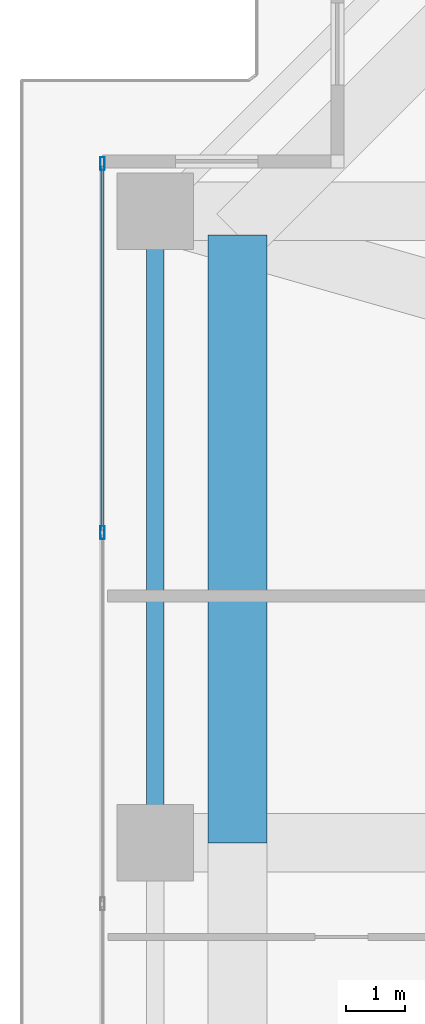
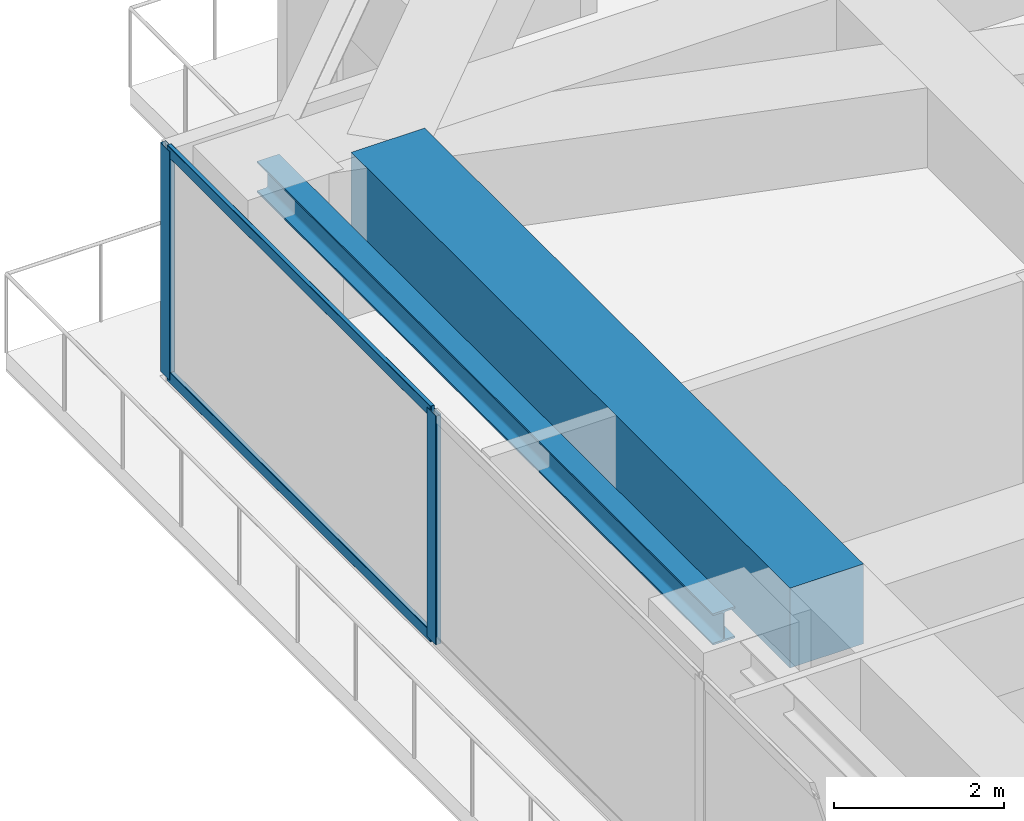
# One storey, part 14 of 32: 4 members, 2 beams, 1 element without a shape of its own.
"""IFC4 building model written with IfcOpenShell, lengths in metres."""

import ifcopenshell
import ifcopenshell.guid

model = None  # the IFC model being written
_history = None  # IfcOwnerHistory: only IFC2X3 demands one
_inside = {}  # id of a spatial element -> (the spatial element, [elements in it])
_under = {}  # id of a project, library or spatial element -> (it, [spatial elements below it])
_declared = {}  # id of a project -> (the project, [libraries it declares])
_typed = {}  # id of a type object -> (the type object, [elements of that type])
_made_of = {}  # id of a material, layer set ... -> (it, [elements and type objects made of it])


def new_model(schema):
    """Start an empty IFC model of exactly this schema.

    Asked for "IFC4X3", IfcOpenShell would pick the latest addendum, in which some entities
    have other attributes; the version numbers below select the first issue.
    IFC2X3 requires an IfcOwnerHistory on every rooted entity: one is made here for all.
    """
    global model, _history
    if schema == "IFC4X3":
        model = ifcopenshell.file(schema_version=(4, 3, 0, 0))
    else:
        model = ifcopenshell.file(schema=schema)
    _inside.clear()
    _under.clear()
    _declared.clear()
    _typed.clear()
    _made_of.clear()
    _history = None
    if model.schema == "IFC2X3":
        org = make("IfcOrganization", Name="unknown")
        user = make(
            "IfcPersonAndOrganization",
            ThePerson=make("IfcPerson", FamilyName="unknown"),
            TheOrganization=org,
        )
        app = make(
            "IfcApplication",
            ApplicationDeveloper=org,
            Version="unknown",
            ApplicationFullName="unknown",
            ApplicationIdentifier="unknown",
        )
        _history = make(
            "IfcOwnerHistory",
            OwningUser=user,
            OwningApplication=app,
            ChangeAction="ADDED",
            CreationDate=0,
        )
    return model


def make(cls, **values):
    """One entity of the class cls with the attributes given. An attribute that is None is left unset."""
    return model.create_entity(
        cls, **{name: value for name, value in values.items() if value is not None}
    )


def rooted(cls, **values):
    """An entity with a GlobalId (a new one), such as an element, a storey or a relation."""
    return make(cls, GlobalId=ifcopenshell.guid.new(), OwnerHistory=_history, **values)


def si_unit(unit_type, name, prefix=None):
    """IfcSIUnit, for example si_unit("LENGTHUNIT", "METRE", prefix="MILLI")."""
    return make("IfcSIUnit", UnitType=unit_type, Prefix=prefix, Name=name)


def assignment(units):
    """IfcUnitAssignment: the units of a project."""
    return None if units is None else make("IfcUnitAssignment", Units=units)


def point(xyz):
    """IfcCartesianPoint."""
    return None if xyz is None else make("IfcCartesianPoint", Coordinates=xyz)


def direction(xyz):
    """IfcDirection."""
    return None if xyz is None else make("IfcDirection", DirectionRatios=xyz)


def frame(location, z_axis=None, x_axis=None):
    """IfcAxis2Placement3D, a coordinate frame: its origin and axes. An axis left out is left unset."""
    return make(
        "IfcAxis2Placement3D",
        Location=point(location),
        Axis=direction(z_axis),
        RefDirection=direction(x_axis),
    )


def frame_2d(location, x_axis=None):
    """IfcAxis2Placement2D, a coordinate frame in the plane: its origin and x axis."""
    return make(
        "IfcAxis2Placement2D", Location=point(location), RefDirection=direction(x_axis)
    )


def origin():
    """The frame at (0, 0, 0) with its axes left unset."""
    return frame((0.0, 0.0, 0.0))


def origin_2d():
    """The frame at (0, 0) in the plane with its x axis left unset."""
    return frame_2d((0.0, 0.0))


def place(relative_to, where):
    """IfcLocalPlacement: puts the frame where relative to a parent placement (None: the world)."""
    return make(
        "IfcLocalPlacement", PlacementRelTo=relative_to, RelativePlacement=where
    )


def context(
    kind, dimensions, precision=None, world=None, true_north=None, identifier=None
):
    """IfcGeometricRepresentationContext, for example the 3D "Model" context."""
    return make(
        "IfcGeometricRepresentationContext",
        ContextIdentifier=identifier,
        ContextType=kind,
        CoordinateSpaceDimension=dimensions,
        Precision=precision,
        WorldCoordinateSystem=world,
        TrueNorth=true_north,
    )


def subcontext(parent, identifier, kind, view, scale=None):
    """IfcGeometricRepresentationSubContext, for example "Body" below "Model"."""
    return make(
        "IfcGeometricRepresentationSubContext",
        ContextIdentifier=identifier,
        ContextType=kind,
        ParentContext=parent,
        TargetScale=scale,
        TargetView=view,
    )


def project(units=None, contexts=None):
    """IfcProject with its units and contexts."""
    return rooted(
        "IfcProject",
        Name="project",
        RepresentationContexts=contexts,
        UnitsInContext=assignment(units),
    )


def spatial(cls, under=None, at=None, **own):
    """A site, building, storey or space (cls), placed at a placement, below another one or the project."""
    s = rooted(cls, ObjectPlacement=at, **own)
    if under is not None:
        _under.setdefault(under.id(), (under, []))[1].append(s)
    return s


def profile(cls, at=None, kind="AREA", **sizes):
    """A parametric profile (cls). Its sizes go by their IFC names, for example OverallWidth=200.0."""
    return make(cls, ProfileType=kind, Position=at, **sizes)


def rectangle(**sizes):
    """IfcRectangleProfileDef."""
    return profile("IfcRectangleProfileDef", **sizes)


def hollow_rectangle(**sizes):
    """IfcRectangleHollowProfileDef."""
    return profile("IfcRectangleHollowProfileDef", **sizes)


def i_section(**sizes):
    """IfcIShapeProfileDef."""
    return profile("IfcIShapeProfileDef", **sizes)


def extrude(swept, where, along, depth):
    """IfcExtrudedAreaSolid: the profile swept, set in the frame where, extruded along a direction by depth."""
    return make(
        "IfcExtrudedAreaSolid",
        SweptArea=swept,
        Position=where,
        ExtrudedDirection=direction(along),
        Depth=depth,
    )


def shape(context_of_items, identifier, shape_type, items):
    """IfcShapeRepresentation: the items that make up one representation, for example the "Body"."""
    return make(
        "IfcShapeRepresentation",
        ContextOfItems=context_of_items,
        RepresentationIdentifier=identifier,
        RepresentationType=shape_type,
        Items=items,
    )


def source(mapping_origin, context_of_items, identifier, shape_type, items):
    """IfcRepresentationMap: a shape defined once, which mapped items show again and again."""
    return make(
        "IfcRepresentationMap",
        MappingOrigin=mapping_origin,
        MappedRepresentation=shape(context_of_items, identifier, shape_type, items),
    )


def transform(
    local_origin,
    x_axis=None,
    y_axis=None,
    z_axis=None,
    scale=None,
    scale2=None,
    scale3=None,
    uniform=True,
):
    """IfcCartesianTransformationOperator3D, or its non-uniform kind. x_axis, y_axis, z_axis: its Axis1, 2, 3."""
    if uniform:
        return make(
            "IfcCartesianTransformationOperator3D",
            Axis1=direction(x_axis),
            Axis2=direction(y_axis),
            LocalOrigin=point(local_origin),
            Scale=scale,
            Axis3=direction(z_axis),
        )
    return make(
        "IfcCartesianTransformationOperator3DnonUniform",
        Axis1=direction(x_axis),
        Axis2=direction(y_axis),
        LocalOrigin=point(local_origin),
        Scale=scale,
        Axis3=direction(z_axis),
        Scale2=scale2,
        Scale3=scale3,
    )


def mapped(mapping_source, mapping_target):
    """IfcMappedItem: shows the shape of a source again, moved by a transform."""
    return make(
        "IfcMappedItem", MappingSource=mapping_source, MappingTarget=mapping_target
    )


def material(Name=None, Category=None):
    """IfcMaterial."""
    return make("IfcMaterial", Name=Name, Category=Category)


def layer(
    of_material, thickness, ventilated=None, Name=None, Category=None, Priority=None
):
    """IfcMaterialLayer: one layer of a wall or slab, of a material (None: an air gap)."""
    return make(
        "IfcMaterialLayer",
        Material=of_material,
        LayerThickness=thickness,
        IsVentilated=ventilated,
        Name=Name,
        Category=Category,
        Priority=Priority,
    )


def layer_set(layers, Name=None):
    """IfcMaterialLayerSet."""
    return make("IfcMaterialLayerSet", MaterialLayers=layers, LayerSetName=Name)


def material_profile(
    of_material, cross_section, Name=None, Category=None, Priority=None
):
    """IfcMaterialProfile: a cross section and its material."""
    return make(
        "IfcMaterialProfile",
        Name=Name,
        Material=of_material,
        Profile=cross_section,
        Priority=Priority,
        Category=Category,
    )


def profile_set(profiles, Name=None, composite=None):
    """IfcMaterialProfileSet."""
    return make(
        "IfcMaterialProfileSet",
        Name=Name,
        MaterialProfiles=profiles,
        CompositeProfile=composite,
    )


def made_of(thing, what):
    """Note that an element or type object is made of a material, layer set ...; save() writes the relation."""
    if what is not None:
        _made_of.setdefault(what.id(), (what, []))[1].append(thing)
    return thing


def type_object(cls, material=None, **own):
    """A type object (cls), such as IfcWallType, which elements share."""
    return made_of(rooted(cls, **own), material)


def element(
    cls,
    number,
    at=None,
    inside=None,
    cuts=None,
    type_object=None,
    material=None,
    context=None,
    identifier="Body",
    shape_type=None,
    held_by="IfcProductDefinitionShape",
    body=None,
    shapes=None,
    **own,
):
    """One element of the class cls, such as IfcWall. Its Tag is "e" and its number.

    at: its placement. inside: the storey or other place that contains it. cuts: it is an
    opening in that element (IfcRelVoidsElement). A single representation is given by context,
    identifier, shape_type and body (its items); several are given by shapes. held_by: the class
    of the entity that holds the representations. save() writes the other relations.
    """
    e = rooted(cls, Tag="e%d" % number, ObjectPlacement=at, **own)
    if body is not None:
        shapes = [shape(context, identifier, shape_type, body)]
    if shapes is not None:
        e.Representation = make(held_by, Representations=shapes)
    if inside is not None:
        _inside.setdefault(inside.id(), (inside, []))[1].append(e)
    if cuts is not None:
        rooted(
            "IfcRelVoidsElement", RelatingBuildingElement=cuts, RelatedOpeningElement=e
        )
    if type_object is not None:
        _typed.setdefault(type_object.id(), (type_object, []))[1].append(e)
    return made_of(e, material)


def aggregate(whole, parts):
    """IfcRelAggregates: a whole, such as a stair, and the parts it consists of."""
    return rooted("IfcRelAggregates", RelatingObject=whole, RelatedObjects=parts)


def save(model, path):
    """Write the relations noted so far, then the file.

    IfcRelAggregates (storeys below a building ...), IfcRelContainedInSpatialStructure (elements
    in a storey), IfcRelDefinesByType, IfcRelAssociatesMaterial and IfcRelDeclares: one each for
    every whole, place, type object, material and project.
    """
    for whole, parts in _under.values():
        aggregate(whole, parts)
    for where, things in _inside.values():
        rooted(
            "IfcRelContainedInSpatialStructure",
            RelatedElements=things,
            RelatingStructure=where,
        )
    for kind, things in _typed.values():
        rooted("IfcRelDefinesByType", RelatedObjects=things, RelatingType=kind)
    for what, things in _made_of.values():
        rooted("IfcRelAssociatesMaterial", RelatedObjects=things, RelatingMaterial=what)
    for by, libraries in _declared.values():
        rooted("IfcRelDeclares", RelatingContext=by, RelatedDefinitions=libraries)
    model.write(path)


model = new_model("IFC4")

# Units and contexts
model_context = context("Model", 3, precision=1e-05, world=origin(), true_north=direction((0.0, 1.0)))
body_context = subcontext(model_context, "Body", "Model", "MODEL_VIEW")
ifc_project = project(units=[si_unit("LENGTHUNIT", "METRE"), si_unit("AREAUNIT", "SQUARE_METRE"), si_unit("VOLUMEUNIT", "CUBIC_METRE"), si_unit("PLANEANGLEUNIT", "RADIAN"), si_unit("MASSUNIT", "GRAM", prefix="KILO")], contexts=[model_context])

# Site, building, storey
site_placement = place(None, origin())
site = spatial("IfcSite", under=ifc_project, at=site_placement, CompositionType="ELEMENT")
building_placement = place(site_placement, origin())
building = spatial("IfcBuilding", under=site, at=building_placement, Name="Serunith Strait Residences", CompositionType="ELEMENT")
storey_placement = place(building_placement, frame((0.0, 0.0, 195.14990234375)))
storey = spatial("IfcBuildingStorey", under=building, at=storey_placement, Name="L49", CompositionType="ELEMENT", Elevation=195.14990234375)

# Beams
ifc_material_1 = material(Name="Steel S355J2", Category="steel")
ifc_material_profile_1 = material_profile(ifc_material_1, i_section(OverallWidth=0.300048828125, OverallDepth=0.449951171875, WebThickness=0.013916015625, FlangeThickness=0.02587890625, FilletRadius=0.027099609375, at=origin_2d()), Name="HEB 450")
ifc_profile_set_1 = profile_set([ifc_material_profile_1], Name="Steel S355J2")
beam_type_1 = type_object("IfcBeamType", Name="BM-HEB450", PredefinedType="BEAM", material=ifc_profile_set_1)
shared_shape_1 = source(origin(), body_context, "Body", "SweptSolid", [
    extrude(i_section(OverallWidth=0.300048828125, OverallDepth=0.449951171875, WebThickness=0.013916015625, FlangeThickness=0.02587890625, FilletRadius=0.027099609375, at=origin_2d()), origin(), (0.0, 0.0, 1.0), 10.75),
])
beam_1_placement = place(storey_placement, frame((8.699951171875, 40.14990234375, 3.08203125), z_axis=(0.0, -1.0, 0.0), x_axis=(1.0, 0.0, 0.0)))
element("IfcBeam", 1, at=beam_1_placement, inside=storey, type_object=beam_type_1, Name="L49 Perimeter Ring Beam 13", PredefinedType="BEAM", context=body_context, shape_type="MappedRepresentation", body=[
    mapped(shared_shape_1, transform((0.0, 0.0, 0.0), scale=1.0)),
])
ifc_material_2 = material(Name="Concrete C80/95", Category="concrete")
ifc_material_profile_2 = material_profile(ifc_material_2, rectangle(XDim=1.0, YDim=1.14990234375, at=origin_2d()), Name="RC 1000x1150")
ifc_profile_set_2 = profile_set([ifc_material_profile_2], Name="Concrete C80/95")
beam_type_2 = type_object("IfcBeamType", Name="BM-XFER-1000x1150", PredefinedType="BEAM", material=ifc_profile_set_2)
shared_shape_2 = source(origin(), body_context, "Body", "SweptSolid", [
    extrude(rectangle(XDim=1.0, YDim=1.14990234375, at=origin_2d()), origin(), (0.0, 0.0, 1.0), 10.35009765625),
])
beam_2_placement = place(storey_placement, frame((10.10009765625, 39.75, 2.735107421875), z_axis=(0.0, -1.0, 0.0), x_axis=(1.0, 0.0, 0.0)))
element("IfcBeam", 2, at=beam_2_placement, inside=storey, type_object=beam_type_2, Name="L49 Flare Upper Ring Transfer Girder 13", PredefinedType="BEAM", context=body_context, shape_type="MappedRepresentation", body=[
    mapped(shared_shape_2, transform((0.0, 0.0, 0.0), scale=1.0)),
])

# Curtain wall, members
ifc_material_3 = material(Name="Pale-Silver PVDF Aluminium", Category="aluminium")
ifc_layer = layer(ifc_material_3, 0.199951171875, Name="Pale-Silver PVDF Aluminium")
ifc_layer_set = layer_set([ifc_layer], Name="Pale-Silver PVDF Aluminium")
curtain_wall_type = type_object("IfcCurtainWallType", Name="CW-SYS3", PredefinedType="NOTDEFINED", material=ifc_layer_set)
curtain_wall_placement = place(storey_placement, origin())
curtain_wall = element("IfcCurtainWall", 3, at=curtain_wall_placement, inside=storey, type_object=curtain_wall_type, Name="L49 W Unitised Fritted Curtain Wall", PredefinedType="NOTDEFINED")
ifc_material_profile_3 = material_profile(ifc_material_3, hollow_rectangle(XDim=0.06005859375, YDim=0.159912109375, WallThickness=0.00341796875, InnerFilletRadius=0.00537109375, OuterFilletRadius=0.0087890625, at=origin_2d()), Name="ALU 160x60x3.5")
ifc_profile_set_3 = profile_set([ifc_material_profile_3], Name="Pale-Silver PVDF Aluminium")
member_type_1 = type_object("IfcMemberType", Name="CW-SYS3-TRAN", PredefinedType="USERDEFINED", material=ifc_profile_set_3)
shared_shape_3 = source(origin(), body_context, "Body", "SweptSolid", [
    extrude(hollow_rectangle(XDim=0.06005859375, YDim=0.159912109375, WallThickness=0.00341796875, InnerFilletRadius=0.00537109375, OuterFilletRadius=0.0087890625, at=origin_2d()), origin(), (0.0, 0.0, 1.0), 6.20751953125),
])
member_1_placement = place(storey_placement, frame((7.800048828125, 40.925048828125, 0.030029296875), z_axis=(0.0, -1.0, 0.0), x_axis=(1.0, 0.0, 0.0)))
member_1 = element("IfcMember", 4, at=member_1_placement, type_object=member_type_1, Name="CW-3 transom 1.1", ObjectType="TRANSOM", PredefinedType="USERDEFINED", context=body_context, shape_type="MappedRepresentation", body=[
    mapped(shared_shape_3, transform((0.0, 0.0, 0.0), scale=1.0)),
])
member_2_placement = place(storey_placement, frame((7.800048828125, 40.925048828125, 3.26513671875), z_axis=(0.0, -1.0, 0.0), x_axis=(1.0, 0.0, 0.0)))
member_2 = element("IfcMember", 5, at=member_2_placement, type_object=member_type_1, Name="CW-3 transom 1.2", ObjectType="TRANSOM", PredefinedType="USERDEFINED", context=body_context, shape_type="MappedRepresentation", body=[
    mapped(shared_shape_3, transform((0.0, 0.0, 0.0), scale=1.0)),
])
ifc_material_profile_4 = material_profile(ifc_material_3, hollow_rectangle(XDim=0.074951171875, YDim=0.219970703125, WallThickness=0.00390625, InnerFilletRadius=0.006103515625, OuterFilletRadius=0.010009765625, at=origin_2d()), Name="ALU 220x75x4")
ifc_profile_set_4 = profile_set([ifc_material_profile_4], Name="Pale-Silver PVDF Aluminium")
member_type_2 = type_object("IfcMemberType", Name="CW-SYS3-MULL", PredefinedType="MULLION", material=ifc_profile_set_4)
shared_shape_4 = source(origin(), body_context, "Body", "SweptSolid", [
    extrude(hollow_rectangle(XDim=0.074951171875, YDim=0.219970703125, WallThickness=0.00390625, InnerFilletRadius=0.006103515625, OuterFilletRadius=0.010009765625, at=origin_2d()), origin(), (0.0, 0.0, 1.0), 3.295166015625),
])
member_3_placement = place(storey_placement, frame((7.800048828125, 40.96240234375, 0.0), z_axis=(0.0, 0.0, 1.0), x_axis=(1.0, 0.0, 0.0)))
member_3 = element("IfcMember", 6, at=member_3_placement, type_object=member_type_2, Name="CW-3 mullion 1", PredefinedType="MULLION", context=body_context, shape_type="MappedRepresentation", body=[
    mapped(shared_shape_4, transform((0.0, 0.0, 0.0), scale=1.0)),
])
member_4_placement = place(storey_placement, frame((7.800048828125, 34.679931640625, 0.0), z_axis=(0.0, 0.0, 1.0), x_axis=(1.0, 0.0, 0.0)))
member_4 = element("IfcMember", 7, at=member_4_placement, type_object=member_type_2, Name="CW-3 mullion 2", PredefinedType="MULLION", context=body_context, shape_type="MappedRepresentation", body=[
    mapped(shared_shape_4, transform((0.0, 0.0, 0.0), scale=1.0)),
])
aggregate(curtain_wall, [member_3, member_4, member_1, member_2])

save(model, "model.ifc")
